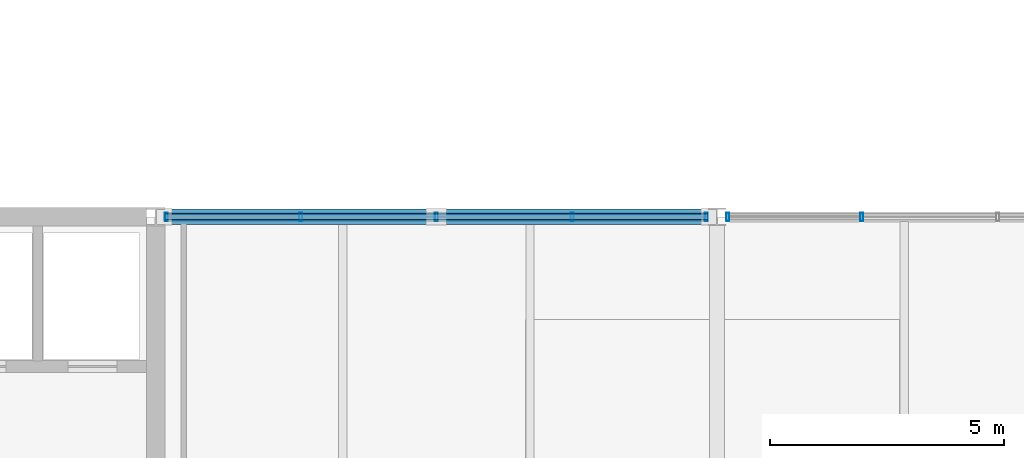
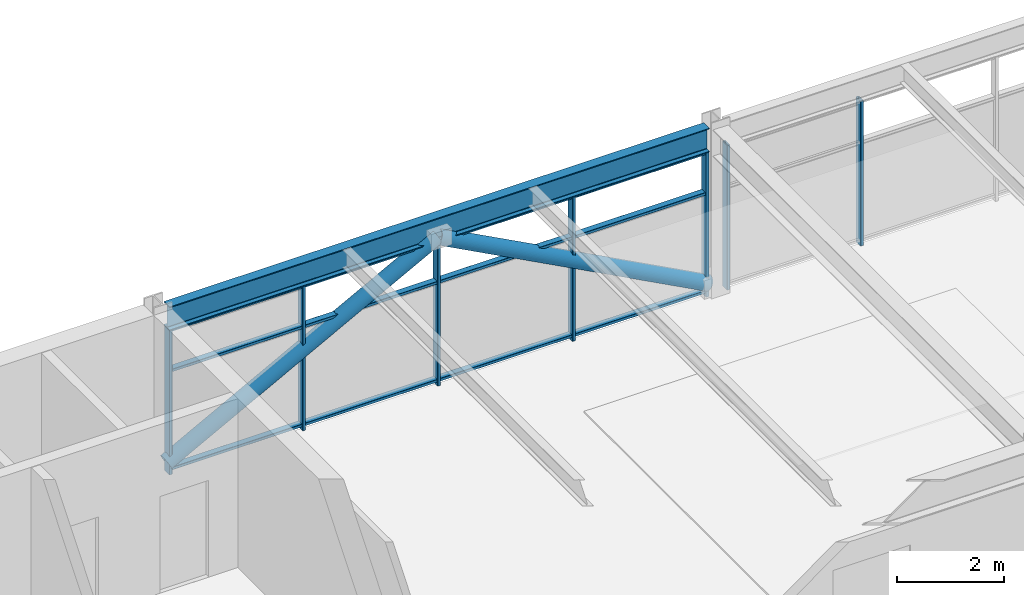
# One storey, part 36 of 49: 12 members, 1 beam, 2 elements without a shape of their own.
"""IFC4 building model written with IfcOpenShell, lengths in metres."""

from ifc_helpers import new_model, si_unit, direction, frame, origin, origin_2d, place, context, subcontext, project, spatial, hollow_rectangle, hollow_circle, i_section, extrude, material, material_profile, profile_set, type_object, element, aggregate, save


model = new_model("IFC4")

# Units and contexts
model_context = context("Model", 3, precision=1e-05, world=origin(), true_north=direction((0.0, 1.0)))
body_context = subcontext(model_context, "Body", "Model", "MODEL_VIEW")
ifc_project = project(units=[si_unit("LENGTHUNIT", "METRE"), si_unit("AREAUNIT", "SQUARE_METRE"), si_unit("VOLUMEUNIT", "CUBIC_METRE"), si_unit("PLANEANGLEUNIT", "RADIAN"), si_unit("MASSUNIT", "GRAM", prefix="KILO")], contexts=[model_context])

# Site, building, storey
site_placement = place(None, origin())
site = spatial("IfcSite", under=ifc_project, at=site_placement, CompositionType="ELEMENT")
building_placement = place(site_placement, origin())
building = spatial("IfcBuilding", under=site, at=building_placement, Name="Girod Span Mobility Hub", CompositionType="ELEMENT")
storey_placement = place(building_placement, frame((0.0, 0.0, 37.60009765625)))
storey = spatial("IfcBuildingStorey", under=building, at=storey_placement, Name="L09", CompositionType="ELEMENT", Elevation=37.60009765625)

# Beam
ifc_material_1 = material(Name="Steel A992 Grade 50", Category="steel")
ifc_material_profile_1 = material_profile(ifc_material_1, i_section(OverallWidth=0.2119140625, OverallDepth=0.5439453125, WebThickness=0.01318359375, FlangeThickness=0.021240234375, FilletRadius=0.014892578125, at=origin_2d()), Name="W21X83")
ifc_profile_set_1 = profile_set([ifc_material_profile_1], Name="Steel A992 Grade 50")
beam_type = type_object("IfcBeamType", Name="BM-STL-W21X83", PredefinedType="SPANDREL", material=ifc_profile_set_1)
beam_placement = place(storey_placement, frame((120.196533203125, 69.0, 3.56298828125), z_axis=(1.0, 0.0, 0.0), x_axis=(0.0, 1.0, 0.0)))
element("IfcBeam", 1, at=beam_placement, inside=storey, type_object=beam_type, Name="Girder 11-12/F L09", PredefinedType="SPANDREL", context=body_context, shape_type="SweptSolid", body=[
    extrude(i_section(OverallWidth=0.2119140625, OverallDepth=0.5439453125, WebThickness=0.01318359375, FlangeThickness=0.021240234375, FilletRadius=0.014892578125, at=origin_2d()), origin(), (0.0, 0.0, 1.0), 11.609375),
])

# Curtain wall, members
ifc_material_2 = material(Name="Thermally Broken Anodised Aluminium", Category="aluminium")
curtain_wall_type = type_object("IfcCurtainWallType", Name="CW-1161X329", PredefinedType="USERDEFINED", material=ifc_material_2)
curtain_wall_1_placement = place(storey_placement, origin())
curtain_wall_1 = element("IfcCurtainWall", 2, at=curtain_wall_1_placement, inside=storey, type_object=curtain_wall_type, Name="Unitised Curtain Wall CW-L09-N11 L09", ObjectType="UNITISED CURTAIN WALL", PredefinedType="USERDEFINED")
ifc_material_3 = material(Name="Thermally Broken Anodised Aluminium", Category="aluminium")
ifc_material_profile_2 = material_profile(ifc_material_3, hollow_rectangle(XDim=0.179931640625, YDim=0.06494140625, WallThickness=0.00390625, InnerFilletRadius=0.00390625, OuterFilletRadius=0.008056640625, at=origin_2d()), Name="CW-ML-65X180")
ifc_profile_set_2 = profile_set([ifc_material_profile_2], Name="Thermally Broken Anodised Aluminium")
member_type_1 = type_object("IfcMemberType", Name="CWM-ML-2", PredefinedType="MULLION", material=ifc_profile_set_2)
member_1_placement = place(storey_placement, frame((120.2294921875, 69.0, 0.0), z_axis=(0.0, 0.0, 1.0), x_axis=(0.0, 1.0, 0.0)))
member_1 = element("IfcMember", 3, at=member_1_placement, type_object=member_type_1, Name="Curtain Wall Mullion CW-L09-N11-M0", PredefinedType="MULLION", context=body_context, shape_type="SweptSolid", body=[
    extrude(hollow_rectangle(XDim=0.179931640625, YDim=0.06494140625, WallThickness=0.00390625, InnerFilletRadius=0.00390625, OuterFilletRadius=0.008056640625, at=origin_2d()), origin(), (0.0, 0.0, 1.0), 3.291015625),
])
member_2_placement = place(storey_placement, frame((123.099365234375, 69.0, 0.0), z_axis=(0.0, 0.0, 1.0), x_axis=(0.0, 1.0, 0.0)))
member_2 = element("IfcMember", 4, at=member_2_placement, type_object=member_type_1, Name="Curtain Wall Mullion CW-L09-N11-M1", PredefinedType="MULLION", context=body_context, shape_type="SweptSolid", body=[
    extrude(hollow_rectangle(XDim=0.179931640625, YDim=0.06494140625, WallThickness=0.00390625, InnerFilletRadius=0.00390625, OuterFilletRadius=0.008056640625, at=origin_2d()), origin(), (0.0, 0.0, 1.0), 3.291015625),
])
member_3_placement = place(storey_placement, frame((126.001220703125, 69.0, 0.0), z_axis=(0.0, 0.0, 1.0), x_axis=(0.0, 1.0, 0.0)))
member_3 = element("IfcMember", 5, at=member_3_placement, type_object=member_type_1, Name="Curtain Wall Mullion CW-L09-N11-M2", PredefinedType="MULLION", context=body_context, shape_type="SweptSolid", body=[
    extrude(hollow_rectangle(XDim=0.179931640625, YDim=0.06494140625, WallThickness=0.00390625, InnerFilletRadius=0.00390625, OuterFilletRadius=0.008056640625, at=origin_2d()), origin(), (0.0, 0.0, 1.0), 3.291015625),
])
member_4_placement = place(storey_placement, frame((128.903076171875, 69.0, 0.0), z_axis=(0.0, 0.0, 1.0), x_axis=(0.0, 1.0, 0.0)))
member_4 = element("IfcMember", 6, at=member_4_placement, type_object=member_type_1, Name="Curtain Wall Mullion CW-L09-N11-M3", PredefinedType="MULLION", context=body_context, shape_type="SweptSolid", body=[
    extrude(hollow_rectangle(XDim=0.179931640625, YDim=0.06494140625, WallThickness=0.00390625, InnerFilletRadius=0.00390625, OuterFilletRadius=0.008056640625, at=origin_2d()), origin(), (0.0, 0.0, 1.0), 3.291015625),
])
member_5_placement = place(storey_placement, frame((131.77294921875, 69.0, 0.0), z_axis=(0.0, 0.0, 1.0), x_axis=(0.0, 1.0, 0.0)))
member_5 = element("IfcMember", 7, at=member_5_placement, type_object=member_type_1, Name="Curtain Wall Mullion CW-L09-N11-M4", PredefinedType="MULLION", context=body_context, shape_type="SweptSolid", body=[
    extrude(hollow_rectangle(XDim=0.179931640625, YDim=0.06494140625, WallThickness=0.00390625, InnerFilletRadius=0.00390625, OuterFilletRadius=0.008056640625, at=origin_2d()), origin(), (0.0, 0.0, 1.0), 3.291015625),
])

curtain_wall_2_placement = place(storey_placement, origin())
curtain_wall_2 = element("IfcCurtainWall", 8, at=curtain_wall_2_placement, inside=storey, type_object=curtain_wall_type, Name="Unitised Curtain Wall CW-L09-N12 L09", ObjectType="UNITISED CURTAIN WALL", PredefinedType="USERDEFINED")
member_6_placement = place(storey_placement, frame((132.22705078125, 69.0, 0.0), z_axis=(0.0, 0.0, 1.0), x_axis=(0.0, 1.0, 0.0)))
member_6 = element("IfcMember", 9, at=member_6_placement, type_object=member_type_1, Name="Curtain Wall Mullion CW-L09-N12-M0", PredefinedType="MULLION", context=body_context, shape_type="SweptSolid", body=[
    extrude(hollow_rectangle(XDim=0.179931640625, YDim=0.06494140625, WallThickness=0.00390625, InnerFilletRadius=0.00390625, OuterFilletRadius=0.008056640625, at=origin_2d()), origin(), (0.0, 0.0, 1.0), 3.291015625),
])
member_7_placement = place(storey_placement, frame((135.097412109375, 69.0, 0.0), z_axis=(0.0, 0.0, 1.0), x_axis=(0.0, 1.0, 0.0)))
member_7 = element("IfcMember", 10, at=member_7_placement, type_object=member_type_1, Name="Curtain Wall Mullion CW-L09-N12-M1", PredefinedType="MULLION", context=body_context, shape_type="SweptSolid", body=[
    extrude(hollow_rectangle(XDim=0.179931640625, YDim=0.06494140625, WallThickness=0.00390625, InnerFilletRadius=0.00390625, OuterFilletRadius=0.008056640625, at=origin_2d()), origin(), (0.0, 0.0, 1.0), 3.291015625),
])
aggregate(curtain_wall_2, [member_6, member_7])

# Member
ifc_material_4 = material(Name="Thermally Broken Anodised Aluminium", Category="aluminium")
ifc_material_profile_3 = material_profile(ifc_material_4, hollow_rectangle(XDim=0.135009765625, YDim=0.06494140625, WallThickness=0.00390625, InnerFilletRadius=0.00390625, OuterFilletRadius=0.008056640625, at=origin_2d()), Name="CW-TR-65X135")
ifc_profile_set_3 = profile_set([ifc_material_profile_3], Name="Thermally Broken Anodised Aluminium")
member_type_2 = type_object("IfcMemberType", Name="CWM-TR-2", PredefinedType="USERDEFINED", material=ifc_profile_set_3)
member_8_placement = place(storey_placement, frame((120.197509765625, 69.0, 0.107421875), z_axis=(1.0, 0.0, 0.0), x_axis=(0.0, 1.0, 0.0)))
member_8 = element("IfcMember", 11, at=member_8_placement, type_object=member_type_2, Name="Curtain Wall Transom CW-L09-N11-T1", ObjectType="TRANSOM", PredefinedType="USERDEFINED", context=body_context, shape_type="SweptSolid", body=[
    extrude(hollow_rectangle(XDim=0.135009765625, YDim=0.06494140625, WallThickness=0.00390625, InnerFilletRadius=0.00390625, OuterFilletRadius=0.008056640625, at=origin_2d()), origin(), (0.0, 0.0, 1.0), 11.607421875),
])

member_9_placement = place(storey_placement, frame((120.197509765625, 69.0, 2.3369140625), z_axis=(1.0, 0.0, 0.0), x_axis=(0.0, 1.0, 0.0)))
member_9 = element("IfcMember", 12, at=member_9_placement, type_object=member_type_2, Name="Curtain Wall Transom CW-L09-N11-T2", ObjectType="TRANSOM", PredefinedType="USERDEFINED", context=body_context, shape_type="SweptSolid", body=[
    extrude(hollow_rectangle(XDim=0.135009765625, YDim=0.06494140625, WallThickness=0.00390625, InnerFilletRadius=0.00390625, OuterFilletRadius=0.008056640625, at=origin_2d()), origin(), (0.0, 0.0, 1.0), 11.607421875),
])

member_10_placement = place(storey_placement, frame((120.197509765625, 69.0, 3.25830078125), z_axis=(1.0, 0.0, 0.0), x_axis=(0.0, 1.0, 0.0)))
member_10 = element("IfcMember", 13, at=member_10_placement, type_object=member_type_2, Name="Curtain Wall Transom CW-L09-N11-T3", ObjectType="TRANSOM", PredefinedType="USERDEFINED", context=body_context, shape_type="SweptSolid", body=[
    extrude(hollow_rectangle(XDim=0.135009765625, YDim=0.06494140625, WallThickness=0.00390625, InnerFilletRadius=0.00390625, OuterFilletRadius=0.008056640625, at=origin_2d()), origin(), (0.0, 0.0, 1.0), 11.607421875),
])

aggregate(curtain_wall_1, [member_1, member_2, member_3, member_4, member_5, member_8, member_9, member_10])

# Members
ifc_material_5 = material(Name="Steel HSS A500 Grade C", Category="steel")
ifc_material_profile_4 = material_profile(ifc_material_5, hollow_circle(Radius=0.162109375, WallThickness=0.01171875, at=origin_2d()), Name="HSS324X12.7")
ifc_profile_set_4 = profile_set([ifc_material_profile_4], Name="Steel HSS A500 Grade C")
member_type_3 = type_object("IfcMemberType", Name="MB-BR-HSS324", PredefinedType="BRACE", material=ifc_profile_set_4)
member_11_placement = place(storey_placement, frame((120.179443359375, 69.0, 0.25), z_axis=(0.882571117743, 0.0, 0.470178925651), x_axis=(0.0, 1.0, 0.0)))
element("IfcMember", 14, at=member_11_placement, inside=storey, type_object=member_type_3, Name="Upper Diagrid Brace 11/F-L L09", PredefinedType="BRACE", context=body_context, shape_type="SweptSolid", body=[
    extrude(hollow_circle(Radius=0.162109375, WallThickness=0.01171875, at=origin_2d()), origin(), (0.0, 0.0, 1.0), 6.594970703125),
])
member_12_placement = place(storey_placement, frame((131.822998046875, 69.0, 0.25), z_axis=(-0.882652915003, 0.0, 0.470025352122), x_axis=(0.0, -1.0, 0.0)))
element("IfcMember", 15, at=member_12_placement, inside=storey, type_object=member_type_3, Name="Upper Diagrid Brace 11/F-R L09", PredefinedType="BRACE", context=body_context, shape_type="SweptSolid", body=[
    extrude(hollow_circle(Radius=0.162109375, WallThickness=0.01171875, at=origin_2d()), origin(), (0.0, 0.0, 1.0), 6.59716796875),
])

save(model, "model.ifc")
